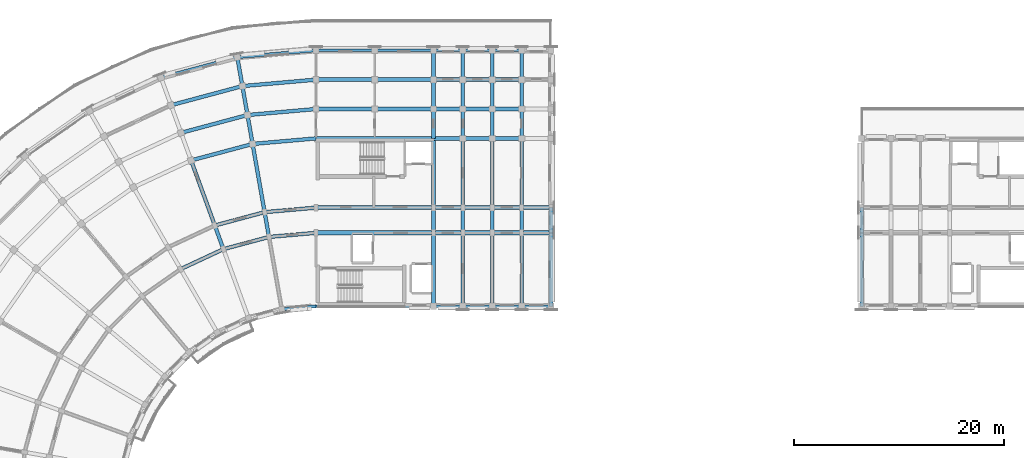
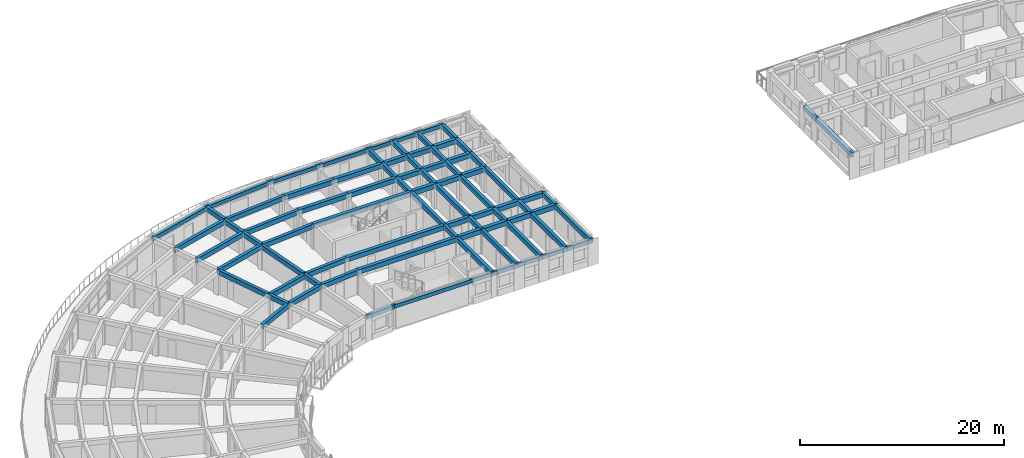
# One storey, part 6 of 32: 83 beams.
"""IFC4 building model written with IfcOpenShell, lengths in metres."""

from ifc_helpers import new_model, si_unit, direction, frame, origin, origin_2d, place, context, subcontext, project, spatial, rectangle, extrude, material, material_profile, profile_set, type_object, element, save


model = new_model("IFC4")

# Units and contexts
model_context = context("Model", 3, precision=1e-05, world=origin(), true_north=direction((0.0, 1.0)))
body_context = subcontext(model_context, "Body", "Model", "MODEL_VIEW")
ifc_project = project(units=[si_unit("LENGTHUNIT", "METRE"), si_unit("AREAUNIT", "SQUARE_METRE"), si_unit("VOLUMEUNIT", "CUBIC_METRE"), si_unit("PLANEANGLEUNIT", "RADIAN"), si_unit("MASSUNIT", "GRAM", prefix="KILO")], contexts=[model_context])

# Site, building, storey
site_placement = place(None, origin())
site = spatial("IfcSite", under=ifc_project, at=site_placement, CompositionType="ELEMENT")
building_placement = place(site_placement, origin())
building = spatial("IfcBuilding", under=site, at=building_placement, Name="Kiranvali Square Residences", CompositionType="ELEMENT")
storey_placement = place(building_placement, frame((0.0, 0.0, 40.199951171875)))
storey = spatial("IfcBuildingStorey", under=building, at=storey_placement, Name="L12", CompositionType="ELEMENT", Elevation=40.199951171875)

# Beams
ifc_material_1 = material(Name="Concrete M40 (40 MPa)", Category="concrete")
ifc_material_profile_1 = material_profile(ifc_material_1, rectangle(XDim=0.35009765625, YDim=0.550048828125, at=origin_2d()), Name="RC 350x550")
ifc_profile_set_1 = profile_set([ifc_material_profile_1], Name="Concrete M40 (40 MPa)")
beam_type_1 = type_object("IfcBeamType", Name="BM-M40-350x550", PredefinedType="BEAM", material=ifc_profile_set_1)
beam_1_placement = place(storey_placement, frame((48.199951171875, 113.60009765625, 2.655029296875), z_axis=(-0.996191949488, -0.087187153726, 0.0), x_axis=(0.087187153726, -0.996191949488, 0.0)))
element("IfcBeam", 1, at=beam_1_placement, inside=storey, type_object=beam_type_1, Name="L12 beam BM-A-L12-C00-R1", PredefinedType="BEAM", context=body_context, shape_type="SweptSolid", body=[
    extrude(rectangle(XDim=0.35009765625, YDim=0.550048828125, at=origin_2d()), origin(), (0.0, 0.0, 1.0), 4.4970703125),
])
beam_2_placement = place(storey_placement, frame((48.199951171875, 116.0, 2.655029296875), z_axis=(-0.996193663584, -0.087167566415, 0.0), x_axis=(0.087167566415, -0.996193663584, 0.0)))
element("IfcBeam", 2, at=beam_2_placement, inside=storey, type_object=beam_type_1, Name="L12 beam BM-A-L12-C00-R2", PredefinedType="BEAM", context=body_context, shape_type="SweptSolid", body=[
    extrude(rectangle(XDim=0.35009765625, YDim=0.550048828125, at=origin_2d()), origin(), (0.0, 0.0, 1.0), 4.91552734375),
])
beam_3_placement = place(storey_placement, frame((48.199951171875, 122.60009765625, 2.655029296875), z_axis=(-0.996193018494, -0.087174938512, 0.0), x_axis=(0.087174938512, -0.996193018494, 0.0)))
element("IfcBeam", 3, at=beam_3_placement, inside=storey, type_object=beam_type_1, Name="L12 beam BM-A-L12-C00-R3", PredefinedType="BEAM", context=body_context, shape_type="SweptSolid", body=[
    extrude(rectangle(XDim=0.35009765625, YDim=0.550048828125, at=origin_2d()), origin(), (0.0, 0.0, 1.0), 6.066162109375),
])
beam_4_placement = place(storey_placement, frame((48.199951171875, 125.39990234375, 2.655029296875), z_axis=(-0.996196991902, -0.0871295204, 0.0), x_axis=(0.0871295204, -0.996196991902, 0.0)))
element("IfcBeam", 4, at=beam_4_placement, inside=storey, type_object=beam_type_1, Name="L12 beam BM-A-L12-C00-R4", PredefinedType="BEAM", context=body_context, shape_type="SweptSolid", body=[
    extrude(rectangle(XDim=0.35009765625, YDim=0.550048828125, at=origin_2d()), origin(), (0.0, 0.0, 1.0), 6.553955078125),
])
beam_5_placement = place(storey_placement, frame((48.199951171875, 128.199951171875, 2.655029296875), z_axis=(-0.996194658198, -0.087156198737, 0.0), x_axis=(0.087156198737, -0.996194658198, 0.0)))
element("IfcBeam", 5, at=beam_5_placement, inside=storey, type_object=beam_type_1, Name="L12 beam BM-A-L12-C00-R5", PredefinedType="BEAM", context=body_context, shape_type="SweptSolid", body=[
    extrude(rectangle(XDim=0.35009765625, YDim=0.550048828125, at=origin_2d()), origin(), (0.0, 0.0, 1.0), 7.042236328125),
])
beam_6_placement = place(storey_placement, frame((43.719970703125, 113.2080078125, 2.655029296875), z_axis=(-0.965934240054, -0.258787642463, 0.0), x_axis=(0.258787642463, -0.965934240054, 0.0)))
element("IfcBeam", 6, at=beam_6_placement, inside=storey, type_object=beam_type_1, Name="L12 beam BM-A-L12-C01-R1", PredefinedType="BEAM", context=body_context, shape_type="SweptSolid", body=[
    extrude(rectangle(XDim=0.35009765625, YDim=0.550048828125, at=origin_2d()), origin(), (0.0, 0.0, 1.0), 4.497314453125),
])
beam_7_placement = place(storey_placement, frame((43.30322265625, 115.571533203125, 2.655029296875), z_axis=(-0.965930095386, -0.258803112091, 0.0), x_axis=(0.258803112091, -0.965930095386, 0.0)))
element("IfcBeam", 7, at=beam_7_placement, inside=storey, type_object=beam_type_1, Name="L12 beam BM-A-L12-C01-R2", PredefinedType="BEAM", context=body_context, shape_type="SweptSolid", body=[
    extrude(rectangle(XDim=0.35009765625, YDim=0.550048828125, at=origin_2d()), origin(), (0.0, 0.0, 1.0), 4.915771484375),
])
beam_8_placement = place(storey_placement, frame((42.156982421875, 122.0712890625, 2.655029296875), z_axis=(-0.965923618901, -0.258827283048, 0.0), x_axis=(0.258827283048, -0.965923618901, 0.0)))
element("IfcBeam", 8, at=beam_8_placement, inside=storey, type_object=beam_type_1, Name="L12 beam BM-A-L12-C01-R3", PredefinedType="BEAM", context=body_context, shape_type="SweptSolid", body=[
    extrude(rectangle(XDim=0.35009765625, YDim=0.550048828125, at=origin_2d()), origin(), (0.0, 0.0, 1.0), 6.066162109375),
])
beam_9_placement = place(storey_placement, frame((41.6708984375, 124.828857421875, 2.655029296875), z_axis=(-0.965918287583, -0.258847178297, 0.0), x_axis=(0.258847178297, -0.965918287583, 0.0)))
element("IfcBeam", 9, at=beam_9_placement, inside=storey, type_object=beam_type_1, Name="L12 beam BM-A-L12-C01-R4", PredefinedType="BEAM", context=body_context, shape_type="SweptSolid", body=[
    extrude(rectangle(XDim=0.35009765625, YDim=0.550048828125, at=origin_2d()), origin(), (0.0, 0.0, 1.0), 6.55419921875),
])
beam_10_placement = place(storey_placement, frame((41.1845703125, 127.586181640625, 2.655029296875), z_axis=(-0.965931029817, -0.258799624492, 0.0), x_axis=(0.258799624492, -0.965931029817, 0.0)))
element("IfcBeam", 10, at=beam_10_placement, inside=storey, type_object=beam_type_1, Name="L12 beam BM-A-L12-C01-R5", PredefinedType="BEAM", context=body_context, shape_type="SweptSolid", body=[
    extrude(rectangle(XDim=0.35009765625, YDim=0.550048828125, at=origin_2d()), origin(), (0.0, 0.0, 1.0), 7.042236328125),
])
beam_11_placement = place(storey_placement, frame((39.3759765625, 112.044189453125, 2.655029296875), z_axis=(-0.906307919131, -0.422617978463, 0.0), x_axis=(0.422617978463, -0.906307919131, 0.0)))
element("IfcBeam", 11, at=beam_11_placement, inside=storey, type_object=beam_type_1, Name="L12 beam BM-A-L12-C02-R1", PredefinedType="BEAM", context=body_context, shape_type="SweptSolid", body=[
    extrude(rectangle(XDim=0.35009765625, YDim=0.550048828125, at=origin_2d()), origin(), (0.0, 0.0, 1.0), 4.497314453125),
])
beam_12_placement = place(storey_placement, frame((43.719970703125, 113.2080078125, 2.655029296875), z_axis=(-0.173646056486, 0.984808127031, 0.0), x_axis=(-0.984808127031, -0.173646056486, 0.0)))
element("IfcBeam", 12, at=beam_12_placement, inside=storey, type_object=beam_type_1, Name="L12 beam BM-A-L12-RAD01-12", PredefinedType="BEAM", context=body_context, shape_type="SweptSolid", body=[
    extrude(rectangle(XDim=0.35009765625, YDim=0.550048828125, at=origin_2d()), origin(), (0.0, 0.0, 1.0), 2.39990234375),
])
beam_13_placement = place(storey_placement, frame((43.30322265625, 115.571533203125, 2.655029296875), z_axis=(-0.173671381499, 0.984803661269, 0.0), x_axis=(-0.984803661269, -0.173671381499, 0.0)))
element("IfcBeam", 13, at=beam_13_placement, inside=storey, type_object=beam_type_1, Name="L12 beam BM-A-L12-RAD01-23", PredefinedType="BEAM", context=body_context, shape_type="SweptSolid", body=[
    extrude(rectangle(XDim=0.35009765625, YDim=0.550048828125, at=origin_2d()), origin(), (0.0, 0.0, 1.0), 6.60009765625),
])
beam_14_placement = place(storey_placement, frame((42.156982421875, 122.0712890625, 2.655029296875), z_axis=(-0.173596320392, 0.984816895441, 0.0), x_axis=(-0.984816895441, -0.173596320392, 0.0)))
element("IfcBeam", 14, at=beam_14_placement, inside=storey, type_object=beam_type_1, Name="L12 beam BM-A-L12-RAD01-34", PredefinedType="BEAM", context=body_context, shape_type="SweptSolid", body=[
    extrude(rectangle(XDim=0.35009765625, YDim=0.550048828125, at=origin_2d()), origin(), (0.0, 0.0, 1.0), 2.800048828125),
])
beam_15_placement = place(storey_placement, frame((41.6708984375, 124.828857421875, 2.655029296875), z_axis=(-0.173695795656, 0.984799355489, 0.0), x_axis=(-0.984799355489, -0.173695795656, 0.0)))
element("IfcBeam", 15, at=beam_15_placement, inside=storey, type_object=beam_type_1, Name="L12 beam BM-A-L12-RAD01-45", PredefinedType="BEAM", context=body_context, shape_type="SweptSolid", body=[
    extrude(rectangle(XDim=0.35009765625, YDim=0.550048828125, at=origin_2d()), origin(), (0.0, 0.0, 1.0), 2.7998046875),
])
beam_16_placement = place(storey_placement, frame((41.1845703125, 127.586181640625, 2.695068359375), z_axis=(-0.173596320392, 0.984816895441, 0.0), x_axis=(-0.984816895441, -0.173596320392, 0.0)))
element("IfcBeam", 16, at=beam_16_placement, inside=storey, type_object=beam_type_1, Name="L12 beam BM-A-L12-RAD01-56", PredefinedType="BEAM", context=body_context, shape_type="SweptSolid", body=[
    extrude(rectangle(XDim=0.35009765625, YDim=0.550048828125, at=origin_2d()), origin(), (0.0, 0.0, 1.0), 2.800048828125),
])
beam_17_placement = place(storey_placement, frame((39.3759765625, 112.044189453125, 2.655029296875), z_axis=(-0.342110593602, 0.939659694648, 0.0), x_axis=(-0.939659694648, -0.342110593602, 0.0)))
element("IfcBeam", 17, at=beam_17_placement, inside=storey, type_object=beam_type_1, Name="L12 beam BM-A-L12-RAD02-12", PredefinedType="BEAM", context=body_context, shape_type="SweptSolid", body=[
    extrude(rectangle(XDim=0.35009765625, YDim=0.550048828125, at=origin_2d()), origin(), (0.0, 0.0, 1.0), 2.39990234375),
])
beam_18_placement = place(storey_placement, frame((38.554931640625, 114.29931640625, 2.655029296875), z_axis=(-0.342022238372, 0.939691858249, 0.0), x_axis=(-0.939691858249, -0.342022238372, 0.0)))
element("IfcBeam", 18, at=beam_18_placement, inside=storey, type_object=beam_type_1, Name="L12 beam BM-A-L12-RAD02-23", PredefinedType="BEAM", context=body_context, shape_type="SweptSolid", body=[
    extrude(rectangle(XDim=0.35009765625, YDim=0.550048828125, at=origin_2d()), origin(), (0.0, 0.0, 1.0), 6.599853515625),
])
beam_19_placement = place(storey_placement, frame((59.39990234375, 106.60009765625, 2.655029296875), z_axis=(0.0, 1.0, 0.0), x_axis=(-1.0, 0.0, 0.0)))
element("IfcBeam", 19, at=beam_19_placement, inside=storey, type_object=beam_type_1, Name="L12 beam BM-A-L12-A1T1-01", PredefinedType="BEAM", context=body_context, shape_type="SweptSolid", body=[
    extrude(rectangle(XDim=0.35009765625, YDim=0.550048828125, at=origin_2d()), origin(), (0.0, 0.0, 1.0), 7.0),
])
beam_20_placement = place(storey_placement, frame((59.39990234375, 113.60009765625, 2.655029296875), z_axis=(0.0, 1.0, 0.0), x_axis=(-1.0, 0.0, 0.0)))
element("IfcBeam", 20, at=beam_20_placement, inside=storey, type_object=beam_type_1, Name="L12 beam BM-A-L12-A1T1-12", PredefinedType="BEAM", context=body_context, shape_type="SweptSolid", body=[
    extrude(rectangle(XDim=0.35009765625, YDim=0.550048828125, at=origin_2d()), origin(), (0.0, 0.0, 1.0), 2.39990234375),
])
beam_21_placement = place(storey_placement, frame((59.39990234375, 116.0, 2.655029296875), z_axis=(0.0, 1.0, 0.0), x_axis=(-1.0, 0.0, 0.0)))
element("IfcBeam", 21, at=beam_21_placement, inside=storey, type_object=beam_type_1, Name="L12 beam BM-A-L12-A1T1-23", PredefinedType="BEAM", context=body_context, shape_type="SweptSolid", body=[
    extrude(rectangle(XDim=0.35009765625, YDim=0.550048828125, at=origin_2d()), origin(), (0.0, 0.0, 1.0), 6.60009765625),
])
beam_22_placement = place(storey_placement, frame((59.39990234375, 122.60009765625, 2.655029296875), z_axis=(0.0, 1.0, 0.0), x_axis=(-1.0, 0.0, 0.0)))
element("IfcBeam", 22, at=beam_22_placement, inside=storey, type_object=beam_type_1, Name="L12 beam BM-A-L12-A1T1-34", PredefinedType="BEAM", context=body_context, shape_type="SweptSolid", body=[
    extrude(rectangle(XDim=0.35009765625, YDim=0.550048828125, at=origin_2d()), origin(), (0.0, 0.0, 1.0), 2.7998046875),
])
for number, where, z_axis, x_axis, name in (
    (23, (59.39990234375, 125.39990234375, 2.655029296875), (0.0, 1.0, 0.0), (-1.0, 0.0, 0.0), "L12 beam BM-A-L12-A1T1-45"),
    (24, (59.39990234375, 128.199951171875, 2.695068359375), (0.0, 1.0, 0.0), (-1.0, 0.0, 0.0), "L12 beam BM-A-L12-A1T1-56"),
):
    element("IfcBeam", number, at=place(storey_placement, frame(where, z_axis=z_axis, x_axis=x_axis)), inside=storey, type_object=beam_type_1, Name=name, PredefinedType="BEAM", context=body_context, shape_type="SweptSolid", body=[
        extrude(rectangle(XDim=0.35009765625, YDim=0.550048828125, at=origin_2d()), origin(), (0.0, 0.0, 1.0), 2.800048828125),
    ])
beam_23_placement = place(storey_placement, frame((62.199951171875, 106.60009765625, 2.655029296875), z_axis=(0.0, 1.0, 0.0), x_axis=(-1.0, 0.0, 0.0)))
element("IfcBeam", 25, at=beam_23_placement, inside=storey, type_object=beam_type_1, Name="L12 beam BM-A-L12-A1T2-01", PredefinedType="BEAM", context=body_context, shape_type="SweptSolid", body=[
    extrude(rectangle(XDim=0.35009765625, YDim=0.550048828125, at=origin_2d()), origin(), (0.0, 0.0, 1.0), 7.0),
])
beam_24_placement = place(storey_placement, frame((62.199951171875, 113.60009765625, 2.655029296875), z_axis=(0.0, 1.0, 0.0), x_axis=(-1.0, 0.0, 0.0)))
element("IfcBeam", 26, at=beam_24_placement, inside=storey, type_object=beam_type_1, Name="L12 beam BM-A-L12-A1T2-12", PredefinedType="BEAM", context=body_context, shape_type="SweptSolid", body=[
    extrude(rectangle(XDim=0.35009765625, YDim=0.550048828125, at=origin_2d()), origin(), (0.0, 0.0, 1.0), 2.39990234375),
])
beam_25_placement = place(storey_placement, frame((62.199951171875, 116.0, 2.655029296875), z_axis=(0.0, 1.0, 0.0), x_axis=(-1.0, 0.0, 0.0)))
element("IfcBeam", 27, at=beam_25_placement, inside=storey, type_object=beam_type_1, Name="L12 beam BM-A-L12-A1T2-23", PredefinedType="BEAM", context=body_context, shape_type="SweptSolid", body=[
    extrude(rectangle(XDim=0.35009765625, YDim=0.550048828125, at=origin_2d()), origin(), (0.0, 0.0, 1.0), 6.60009765625),
])
beam_26_placement = place(storey_placement, frame((62.199951171875, 122.60009765625, 2.655029296875), z_axis=(0.0, 1.0, 0.0), x_axis=(-1.0, 0.0, 0.0)))
element("IfcBeam", 28, at=beam_26_placement, inside=storey, type_object=beam_type_1, Name="L12 beam BM-A-L12-A1T2-34", PredefinedType="BEAM", context=body_context, shape_type="SweptSolid", body=[
    extrude(rectangle(XDim=0.35009765625, YDim=0.550048828125, at=origin_2d()), origin(), (0.0, 0.0, 1.0), 2.7998046875),
])
for number, where, z_axis, x_axis, name in (
    (29, (62.199951171875, 125.39990234375, 2.655029296875), (0.0, 1.0, 0.0), (-1.0, 0.0, 0.0), "L12 beam BM-A-L12-A1T2-45"),
    (30, (62.199951171875, 128.199951171875, 2.695068359375), (0.0, 1.0, 0.0), (-1.0, 0.0, 0.0), "L12 beam BM-A-L12-A1T2-56"),
):
    element("IfcBeam", number, at=place(storey_placement, frame(where, z_axis=z_axis, x_axis=x_axis)), inside=storey, type_object=beam_type_1, Name=name, PredefinedType="BEAM", context=body_context, shape_type="SweptSolid", body=[
        extrude(rectangle(XDim=0.35009765625, YDim=0.550048828125, at=origin_2d()), origin(), (0.0, 0.0, 1.0), 2.800048828125),
    ])
beam_27_placement = place(storey_placement, frame((65.0, 106.60009765625, 2.655029296875), z_axis=(0.0, 1.0, 0.0), x_axis=(-1.0, 0.0, 0.0)))
element("IfcBeam", 31, at=beam_27_placement, inside=storey, type_object=beam_type_1, Name="L12 beam BM-A-L12-A1T3-01", PredefinedType="BEAM", context=body_context, shape_type="SweptSolid", body=[
    extrude(rectangle(XDim=0.35009765625, YDim=0.550048828125, at=origin_2d()), origin(), (0.0, 0.0, 1.0), 7.0),
])
beam_28_placement = place(storey_placement, frame((65.0, 113.60009765625, 2.655029296875), z_axis=(0.0, 1.0, 0.0), x_axis=(-1.0, 0.0, 0.0)))
element("IfcBeam", 32, at=beam_28_placement, inside=storey, type_object=beam_type_1, Name="L12 beam BM-A-L12-A1T3-12", PredefinedType="BEAM", context=body_context, shape_type="SweptSolid", body=[
    extrude(rectangle(XDim=0.35009765625, YDim=0.550048828125, at=origin_2d()), origin(), (0.0, 0.0, 1.0), 2.39990234375),
])
beam_29_placement = place(storey_placement, frame((65.0, 116.0, 2.655029296875), z_axis=(0.0, 1.0, 0.0), x_axis=(-1.0, 0.0, 0.0)))
element("IfcBeam", 33, at=beam_29_placement, inside=storey, type_object=beam_type_1, Name="L12 beam BM-A-L12-A1T3-23", PredefinedType="BEAM", context=body_context, shape_type="SweptSolid", body=[
    extrude(rectangle(XDim=0.35009765625, YDim=0.550048828125, at=origin_2d()), origin(), (0.0, 0.0, 1.0), 6.60009765625),
])
beam_30_placement = place(storey_placement, frame((65.0, 122.60009765625, 2.655029296875), z_axis=(0.0, 1.0, 0.0), x_axis=(-1.0, 0.0, 0.0)))
element("IfcBeam", 34, at=beam_30_placement, inside=storey, type_object=beam_type_1, Name="L12 beam BM-A-L12-A1T3-34", PredefinedType="BEAM", context=body_context, shape_type="SweptSolid", body=[
    extrude(rectangle(XDim=0.35009765625, YDim=0.550048828125, at=origin_2d()), origin(), (0.0, 0.0, 1.0), 2.7998046875),
])
for number, where, z_axis, x_axis, name in (
    (35, (65.0, 125.39990234375, 2.655029296875), (0.0, 1.0, 0.0), (-1.0, 0.0, 0.0), "L12 beam BM-A-L12-A1T3-45"),
    (36, (65.0, 128.199951171875, 2.695068359375), (0.0, 1.0, 0.0), (-1.0, 0.0, 0.0), "L12 beam BM-A-L12-A1T3-56"),
):
    element("IfcBeam", number, at=place(storey_placement, frame(where, z_axis=z_axis, x_axis=x_axis)), inside=storey, type_object=beam_type_1, Name=name, PredefinedType="BEAM", context=body_context, shape_type="SweptSolid", body=[
        extrude(rectangle(XDim=0.35009765625, YDim=0.550048828125, at=origin_2d()), origin(), (0.0, 0.0, 1.0), 2.800048828125),
    ])
beam_31_placement = place(storey_placement, frame((67.800048828125, 106.60009765625, 2.655029296875), z_axis=(0.0, 1.0, 0.0), x_axis=(-1.0, 0.0, 0.0)))
element("IfcBeam", 37, at=beam_31_placement, inside=storey, type_object=beam_type_1, Name="L12 beam BM-A-L12-A1T4-01", PredefinedType="BEAM", context=body_context, shape_type="SweptSolid", body=[
    extrude(rectangle(XDim=0.35009765625, YDim=0.550048828125, at=origin_2d()), origin(), (0.0, 0.0, 1.0), 7.0),
])
beam_32_placement = place(storey_placement, frame((67.800048828125, 113.60009765625, 2.655029296875), z_axis=(0.0, 1.0, 0.0), x_axis=(-1.0, 0.0, 0.0)))
element("IfcBeam", 38, at=beam_32_placement, inside=storey, type_object=beam_type_1, Name="L12 beam BM-A-L12-A1T4-12", PredefinedType="BEAM", context=body_context, shape_type="SweptSolid", body=[
    extrude(rectangle(XDim=0.35009765625, YDim=0.550048828125, at=origin_2d()), origin(), (0.0, 0.0, 1.0), 2.39990234375),
])
beam_33_placement = place(storey_placement, frame((67.800048828125, 116.0, 2.655029296875), z_axis=(0.0, 1.0, 0.0), x_axis=(-1.0, 0.0, 0.0)))
element("IfcBeam", 39, at=beam_33_placement, inside=storey, type_object=beam_type_1, Name="L12 beam BM-A-L12-A1T4-23", PredefinedType="BEAM", context=body_context, shape_type="SweptSolid", body=[
    extrude(rectangle(XDim=0.35009765625, YDim=0.550048828125, at=origin_2d()), origin(), (0.0, 0.0, 1.0), 6.60009765625),
])
beam_34_placement = place(storey_placement, frame((67.800048828125, 122.60009765625, 2.655029296875), z_axis=(0.0, 1.0, 0.0), x_axis=(-1.0, 0.0, 0.0)))
element("IfcBeam", 40, at=beam_34_placement, inside=storey, type_object=beam_type_1, Name="L12 beam BM-A-L12-A1T4-34", PredefinedType="BEAM", context=body_context, shape_type="SweptSolid", body=[
    extrude(rectangle(XDim=0.35009765625, YDim=0.550048828125, at=origin_2d()), origin(), (0.0, 0.0, 1.0), 2.7998046875),
])
for number, where, z_axis, x_axis, name in (
    (41, (67.800048828125, 125.39990234375, 2.655029296875), (0.0, 1.0, 0.0), (-1.0, 0.0, 0.0), "L12 beam BM-A-L12-A1T4-45"),
    (42, (67.800048828125, 128.199951171875, 2.695068359375), (0.0, 1.0, 0.0), (-1.0, 0.0, 0.0), "L12 beam BM-A-L12-A1T4-56"),
):
    element("IfcBeam", number, at=place(storey_placement, frame(where, z_axis=z_axis, x_axis=x_axis)), inside=storey, type_object=beam_type_1, Name=name, PredefinedType="BEAM", context=body_context, shape_type="SweptSolid", body=[
        extrude(rectangle(XDim=0.35009765625, YDim=0.550048828125, at=origin_2d()), origin(), (0.0, 0.0, 1.0), 2.800048828125),
    ])
beam_35_placement = place(storey_placement, frame((70.60009765625, 106.60009765625, 2.655029296875), z_axis=(0.0, 1.0, 0.0), x_axis=(-1.0, 0.0, 0.0)))
element("IfcBeam", 43, at=beam_35_placement, inside=storey, type_object=beam_type_1, Name="L12 beam BM-A-L12-A1T5-01", PredefinedType="BEAM", context=body_context, shape_type="SweptSolid", body=[
    extrude(rectangle(XDim=0.35009765625, YDim=0.550048828125, at=origin_2d()), origin(), (0.0, 0.0, 1.0), 7.0),
])
beam_36_placement = place(storey_placement, frame((70.60009765625, 113.60009765625, 2.655029296875), z_axis=(0.0, 1.0, 0.0), x_axis=(-1.0, 0.0, 0.0)))
element("IfcBeam", 44, at=beam_36_placement, inside=storey, type_object=beam_type_1, Name="L12 beam BM-A-L12-A1T5-12", PredefinedType="BEAM", context=body_context, shape_type="SweptSolid", body=[
    extrude(rectangle(XDim=0.35009765625, YDim=0.550048828125, at=origin_2d()), origin(), (0.0, 0.0, 1.0), 2.39990234375),
])
beam_37_placement = place(storey_placement, frame((100.199951171875, 106.60009765625, 2.635009765625), z_axis=(0.0, 1.0, 0.0), x_axis=(-1.0, 0.0, 0.0)))
element("IfcBeam", 45, at=beam_37_placement, inside=storey, type_object=beam_type_1, Name="L12 beam BM-B-L12-A1T4-01", PredefinedType="BEAM", context=body_context, shape_type="SweptSolid", body=[
    extrude(rectangle(XDim=0.35009765625, YDim=0.550048828125, at=origin_2d()), origin(), (0.0, 0.0, 1.0), 7.0),
])
beam_38_placement = place(storey_placement, frame((100.199951171875, 113.60009765625, 2.635009765625), z_axis=(0.0, 1.0, 0.0), x_axis=(-1.0, 0.0, 0.0)))
element("IfcBeam", 46, at=beam_38_placement, inside=storey, type_object=beam_type_1, Name="L12 beam BM-B-L12-A1T4-12", PredefinedType="BEAM", context=body_context, shape_type="SweptSolid", body=[
    extrude(rectangle(XDim=0.35009765625, YDim=0.550048828125, at=origin_2d()), origin(), (0.0, 0.0, 1.0), 2.39990234375),
])
ifc_material_2 = material(Name="Concrete M45 (45 MPa)", Category="concrete")
ifc_material_profile_2 = material_profile(ifc_material_2, rectangle(XDim=0.39990234375, YDim=0.550048828125, at=origin_2d()), Name="RC 400x550")
ifc_profile_set_2 = profile_set([ifc_material_profile_2], Name="Concrete M45 (45 MPa)")
beam_type_2 = type_object("IfcBeamType", Name="BM-M45-400x550", PredefinedType="BEAM", material=ifc_profile_set_2)
beam_39_placement = place(storey_placement, frame((48.199951171875, 113.60009765625, 2.655029296875), z_axis=(1.0, 0.0, 0.0), x_axis=(0.0, 1.0, 0.0)))
element("IfcBeam", 47, at=beam_39_placement, inside=storey, type_object=beam_type_2, Name="L12 beam BM-A-L12-A1U0-R1", PredefinedType="BEAM", context=body_context, shape_type="SweptSolid", body=[
    extrude(rectangle(XDim=0.39990234375, YDim=0.550048828125, at=origin_2d()), origin(), (0.0, 0.0, 1.0), 11.199951171875),
])
for number, where, z_axis, x_axis, name in (
    (48, (59.39990234375, 113.60009765625, 2.655029296875), (1.0, 0.0, 0.0), (0.0, 1.0, 0.0), "L12 beam BM-A-L12-A1U1-R1"),
    (49, (62.199951171875, 113.60009765625, 2.655029296875), (1.0, 0.0, 0.0), (0.0, 1.0, 0.0), "L12 beam BM-A-L12-A1U2-R1"),
    (50, (65.0, 113.60009765625, 2.655029296875), (1.0, 0.0, 0.0), (0.0, 1.0, 0.0), "L12 beam BM-A-L12-A1U3-R1"),
    (51, (67.800048828125, 113.60009765625, 2.655029296875), (1.0, 0.0, 0.0), (0.0, 1.0, 0.0), "L12 beam BM-A-L12-A1U4-R1"),
):
    element("IfcBeam", number, at=place(storey_placement, frame(where, z_axis=z_axis, x_axis=x_axis)), inside=storey, type_object=beam_type_2, Name=name, PredefinedType="BEAM", context=body_context, shape_type="SweptSolid", body=[
        extrude(rectangle(XDim=0.39990234375, YDim=0.550048828125, at=origin_2d()), origin(), (0.0, 0.0, 1.0), 2.800048828125),
    ])
beam_40_placement = place(storey_placement, frame((48.199951171875, 116.0, 2.655029296875), z_axis=(1.0, 0.0, 0.0), x_axis=(0.0, 1.0, 0.0)))
element("IfcBeam", 52, at=beam_40_placement, inside=storey, type_object=beam_type_2, Name="L12 beam BM-A-L12-A1U0-R2", PredefinedType="BEAM", context=body_context, shape_type="SweptSolid", body=[
    extrude(rectangle(XDim=0.39990234375, YDim=0.550048828125, at=origin_2d()), origin(), (0.0, 0.0, 1.0), 11.199951171875),
])
for number, where, z_axis, x_axis, name in (
    (53, (59.39990234375, 116.0, 2.655029296875), (1.0, 0.0, 0.0), (0.0, 1.0, 0.0), "L12 beam BM-A-L12-A1U1-R2"),
    (54, (62.199951171875, 116.0, 2.655029296875), (1.0, 0.0, 0.0), (0.0, 1.0, 0.0), "L12 beam BM-A-L12-A1U2-R2"),
    (55, (65.0, 116.0, 2.655029296875), (1.0, 0.0, 0.0), (0.0, 1.0, 0.0), "L12 beam BM-A-L12-A1U3-R2"),
    (56, (67.800048828125, 116.0, 2.655029296875), (1.0, 0.0, 0.0), (0.0, 1.0, 0.0), "L12 beam BM-A-L12-A1U4-R2"),
):
    element("IfcBeam", number, at=place(storey_placement, frame(where, z_axis=z_axis, x_axis=x_axis)), inside=storey, type_object=beam_type_2, Name=name, PredefinedType="BEAM", context=body_context, shape_type="SweptSolid", body=[
        extrude(rectangle(XDim=0.39990234375, YDim=0.550048828125, at=origin_2d()), origin(), (0.0, 0.0, 1.0), 2.800048828125),
    ])
beam_41_placement = place(storey_placement, frame((48.199951171875, 122.60009765625, 2.655029296875), z_axis=(1.0, 0.0, 0.0), x_axis=(0.0, 1.0, 0.0)))
element("IfcBeam", 57, at=beam_41_placement, inside=storey, type_object=beam_type_2, Name="L12 beam BM-A-L12-A1U0-R3", PredefinedType="BEAM", context=body_context, shape_type="SweptSolid", body=[
    extrude(rectangle(XDim=0.39990234375, YDim=0.550048828125, at=origin_2d()), origin(), (0.0, 0.0, 1.0), 11.199951171875),
])
for number, where, z_axis, x_axis, name in (
    (58, (59.39990234375, 122.60009765625, 2.655029296875), (1.0, 0.0, 0.0), (0.0, 1.0, 0.0), "L12 beam BM-A-L12-A1U1-R3"),
    (59, (62.199951171875, 122.60009765625, 2.655029296875), (1.0, 0.0, 0.0), (0.0, 1.0, 0.0), "L12 beam BM-A-L12-A1U2-R3"),
    (60, (65.0, 122.60009765625, 2.655029296875), (1.0, 0.0, 0.0), (0.0, 1.0, 0.0), "L12 beam BM-A-L12-A1U3-R3"),
):
    element("IfcBeam", number, at=place(storey_placement, frame(where, z_axis=z_axis, x_axis=x_axis)), inside=storey, type_object=beam_type_2, Name=name, PredefinedType="BEAM", context=body_context, shape_type="SweptSolid", body=[
        extrude(rectangle(XDim=0.39990234375, YDim=0.550048828125, at=origin_2d()), origin(), (0.0, 0.0, 1.0), 2.800048828125),
    ])
beam_42_placement = place(storey_placement, frame((48.199951171875, 125.39990234375, 2.655029296875), z_axis=(1.0, 0.0, 0.0), x_axis=(0.0, 1.0, 0.0)))
element("IfcBeam", 61, at=beam_42_placement, inside=storey, type_object=beam_type_2, Name="L12 beam BM-A-L12-A1U0-R4", PredefinedType="BEAM", context=body_context, shape_type="SweptSolid", body=[
    extrude(rectangle(XDim=0.39990234375, YDim=0.550048828125, at=origin_2d()), origin(), (0.0, 0.0, 1.0), 5.60009765625),
])
beam_43_placement = place(storey_placement, frame((53.800048828125, 125.39990234375, 2.655029296875), z_axis=(1.0, 0.0, 0.0), x_axis=(0.0, 1.0, 0.0)))
element("IfcBeam", 62, at=beam_43_placement, inside=storey, type_object=beam_type_2, Name="L12 beam BM-A-L12-A1U1-R4", PredefinedType="BEAM", context=body_context, shape_type="SweptSolid", body=[
    extrude(rectangle(XDim=0.39990234375, YDim=0.550048828125, at=origin_2d()), origin(), (0.0, 0.0, 1.0), 5.599853515625),
])
for number, where, z_axis, x_axis, name in (
    (63, (59.39990234375, 125.39990234375, 2.655029296875), (1.0, 0.0, 0.0), (0.0, 1.0, 0.0), "L12 beam BM-A-L12-A1U2-R4"),
    (64, (62.199951171875, 125.39990234375, 2.655029296875), (1.0, 0.0, 0.0), (0.0, 1.0, 0.0), "L12 beam BM-A-L12-A1U3-R4"),
    (65, (65.0, 125.39990234375, 2.655029296875), (1.0, 0.0, 0.0), (0.0, 1.0, 0.0), "L12 beam BM-A-L12-A1U4-R4"),
):
    element("IfcBeam", number, at=place(storey_placement, frame(where, z_axis=z_axis, x_axis=x_axis)), inside=storey, type_object=beam_type_2, Name=name, PredefinedType="BEAM", context=body_context, shape_type="SweptSolid", body=[
        extrude(rectangle(XDim=0.39990234375, YDim=0.550048828125, at=origin_2d()), origin(), (0.0, 0.0, 1.0), 2.800048828125),
    ])
beam_44_placement = place(storey_placement, frame((48.199951171875, 128.199951171875, 2.655029296875), z_axis=(1.0, 0.0, 0.0), x_axis=(0.0, 1.0, 0.0)))
element("IfcBeam", 66, at=beam_44_placement, inside=storey, type_object=beam_type_2, Name="L12 beam BM-A-L12-A1U0-R5", PredefinedType="BEAM", context=body_context, shape_type="SweptSolid", body=[
    extrude(rectangle(XDim=0.39990234375, YDim=0.550048828125, at=origin_2d()), origin(), (0.0, 0.0, 1.0), 5.60009765625),
])
beam_45_placement = place(storey_placement, frame((53.800048828125, 128.199951171875, 2.655029296875), z_axis=(1.0, 0.0, 0.0), x_axis=(0.0, 1.0, 0.0)))
element("IfcBeam", 67, at=beam_45_placement, inside=storey, type_object=beam_type_2, Name="L12 beam BM-A-L12-A1U1-R5", PredefinedType="BEAM", context=body_context, shape_type="SweptSolid", body=[
    extrude(rectangle(XDim=0.39990234375, YDim=0.550048828125, at=origin_2d()), origin(), (0.0, 0.0, 1.0), 5.599853515625),
])
for number, where, z_axis, x_axis, name in (
    (68, (59.39990234375, 128.199951171875, 2.655029296875), (1.0, 0.0, 0.0), (0.0, 1.0, 0.0), "L12 beam BM-A-L12-A1U2-R5"),
    (69, (62.199951171875, 128.199951171875, 2.655029296875), (1.0, 0.0, 0.0), (0.0, 1.0, 0.0), "L12 beam BM-A-L12-A1U3-R5"),
    (70, (65.0, 128.199951171875, 2.655029296875), (1.0, 0.0, 0.0), (0.0, 1.0, 0.0), "L12 beam BM-A-L12-A1U4-R5"),
):
    element("IfcBeam", number, at=place(storey_placement, frame(where, z_axis=z_axis, x_axis=x_axis)), inside=storey, type_object=beam_type_2, Name=name, PredefinedType="BEAM", context=body_context, shape_type="SweptSolid", body=[
        extrude(rectangle(XDim=0.39990234375, YDim=0.550048828125, at=origin_2d()), origin(), (0.0, 0.0, 1.0), 2.800048828125),
    ])
ifc_material_profile_3 = material_profile(ifc_material_1, rectangle(XDim=0.25, YDim=0.449951171875, at=origin_2d()), Name="RC 250x450")
ifc_profile_set_3 = profile_set([ifc_material_profile_3], Name="Concrete M40 (40 MPa)")
beam_type_3 = type_object("IfcBeamType", Name="SPN-M40-250x450", PredefinedType="SPANDREL", material=ifc_profile_set_3)
beam_46_placement = place(storey_placement, frame((48.199951171875, 106.60009765625, 2.705078125), z_axis=(1.0, 0.0, 0.0), x_axis=(0.0, 1.0, 0.0)))
element("IfcBeam", 71, at=beam_46_placement, inside=storey, type_object=beam_type_3, Name="L12 beam BM-A-L12-A1U0-R0", PredefinedType="SPANDREL", context=body_context, shape_type="SweptSolid", body=[
    extrude(rectangle(XDim=0.25, YDim=0.449951171875, at=origin_2d()), origin(), (0.0, 0.0, 1.0), 11.199951171875),
])
for number, where, z_axis, x_axis, name in (
    (72, (59.39990234375, 106.60009765625, 2.705078125), (1.0, 0.0, 0.0), (0.0, 1.0, 0.0), "L12 beam BM-A-L12-A1U1-R0"),
    (73, (62.199951171875, 106.60009765625, 2.705078125), (1.0, 0.0, 0.0), (0.0, 1.0, 0.0), "L12 beam BM-A-L12-A1U2-R0"),
    (74, (65.0, 106.60009765625, 2.705078125), (1.0, 0.0, 0.0), (0.0, 1.0, 0.0), "L12 beam BM-A-L12-A1U3-R0"),
    (75, (67.800048828125, 106.60009765625, 2.705078125), (1.0, 0.0, 0.0), (0.0, 1.0, 0.0), "L12 beam BM-A-L12-A1U4-R0"),
):
    element("IfcBeam", number, at=place(storey_placement, frame(where, z_axis=z_axis, x_axis=x_axis)), inside=storey, type_object=beam_type_3, Name=name, PredefinedType="SPANDREL", context=body_context, shape_type="SweptSolid", body=[
        extrude(rectangle(XDim=0.25, YDim=0.449951171875, at=origin_2d()), origin(), (0.0, 0.0, 1.0), 2.800048828125),
    ])
beam_47_placement = place(storey_placement, frame((48.199951171875, 131.0, 2.7451171875), z_axis=(1.0, 0.0, 0.0), x_axis=(0.0, 1.0, 0.0)))
element("IfcBeam", 76, at=beam_47_placement, inside=storey, type_object=beam_type_3, Name="L12 beam BM-A-L12-A1U0-R6", PredefinedType="SPANDREL", context=body_context, shape_type="SweptSolid", body=[
    extrude(rectangle(XDim=0.25, YDim=0.449951171875, at=origin_2d()), origin(), (0.0, 0.0, 1.0), 5.60009765625),
])
beam_48_placement = place(storey_placement, frame((53.800048828125, 131.0, 2.7451171875), z_axis=(1.0, 0.0, 0.0), x_axis=(0.0, 1.0, 0.0)))
element("IfcBeam", 77, at=beam_48_placement, inside=storey, type_object=beam_type_3, Name="L12 beam BM-A-L12-A1U1-R6", PredefinedType="SPANDREL", context=body_context, shape_type="SweptSolid", body=[
    extrude(rectangle(XDim=0.25, YDim=0.449951171875, at=origin_2d()), origin(), (0.0, 0.0, 1.0), 5.599853515625),
])
for number, where, z_axis, x_axis, name in (
    (78, (59.39990234375, 131.0, 2.7451171875), (1.0, 0.0, 0.0), (0.0, 1.0, 0.0), "L12 beam BM-A-L12-A1U2-R6"),
    (79, (62.199951171875, 131.0, 2.7451171875), (1.0, 0.0, 0.0), (0.0, 1.0, 0.0), "L12 beam BM-A-L12-A1U3-R6"),
    (80, (65.0, 131.0, 2.7451171875), (1.0, 0.0, 0.0), (0.0, 1.0, 0.0), "L12 beam BM-A-L12-A1U4-R6"),
):
    element("IfcBeam", number, at=place(storey_placement, frame(where, z_axis=z_axis, x_axis=x_axis)), inside=storey, type_object=beam_type_3, Name=name, PredefinedType="SPANDREL", context=body_context, shape_type="SweptSolid", body=[
        extrude(rectangle(XDim=0.25, YDim=0.449951171875, at=origin_2d()), origin(), (0.0, 0.0, 1.0), 2.800048828125),
    ])
ifc_material_profile_4 = material_profile(ifc_material_1, rectangle(XDim=0.300048828125, YDim=0.449951171875, at=origin_2d()), Name="RC 300x450")
ifc_profile_set_4 = profile_set([ifc_material_profile_4], Name="Concrete M40 (40 MPa)")
beam_type_4 = type_object("IfcBeamType", Name="SPN-M40-300x450", PredefinedType="SPANDREL", material=ifc_profile_set_4)
beam_49_placement = place(storey_placement, frame((48.199951171875, 106.60009765625, 2.705078125), z_axis=(-0.996194040944, -0.087163253657, 0.0), x_axis=(0.087163253657, -0.996194040944, 0.0)))
element("IfcBeam", 81, at=beam_49_placement, inside=storey, type_object=beam_type_4, Name="L12 beam BM-A-L12-C00-R0", PredefinedType="SPANDREL", context=body_context, shape_type="SweptSolid", body=[
    extrude(rectangle(XDim=0.300048828125, YDim=0.449951171875, at=origin_2d()), origin(), (0.0, 0.0, 1.0), 3.277099609375),
])
beam_50_placement = place(storey_placement, frame((48.199951171875, 131.0, 2.7451171875), z_axis=(-0.996195195417, -0.087150058103, 0.0), x_axis=(0.087150058103, -0.996195195417, 0.0)))
element("IfcBeam", 82, at=beam_50_placement, inside=storey, type_object=beam_type_4, Name="L12 beam BM-A-L12-C00-R6", PredefinedType="SPANDREL", context=body_context, shape_type="SweptSolid", body=[
    extrude(rectangle(XDim=0.300048828125, YDim=0.449951171875, at=origin_2d()), origin(), (0.0, 0.0, 1.0), 7.530029296875),
])
beam_51_placement = place(storey_placement, frame((40.698486328125, 130.34375, 2.7451171875), z_axis=(-0.965925909693, -0.258818733833, 0.0), x_axis=(0.258818733833, -0.965925909693, 0.0)))
element("IfcBeam", 83, at=beam_51_placement, inside=storey, type_object=beam_type_4, Name="L12 beam BM-A-L12-C01-R6", PredefinedType="SPANDREL", context=body_context, shape_type="SweptSolid", body=[
    extrude(rectangle(XDim=0.300048828125, YDim=0.449951171875, at=origin_2d()), origin(), (0.0, 0.0, 1.0), 7.5302734375),
])

save(model, "model.ifc")
